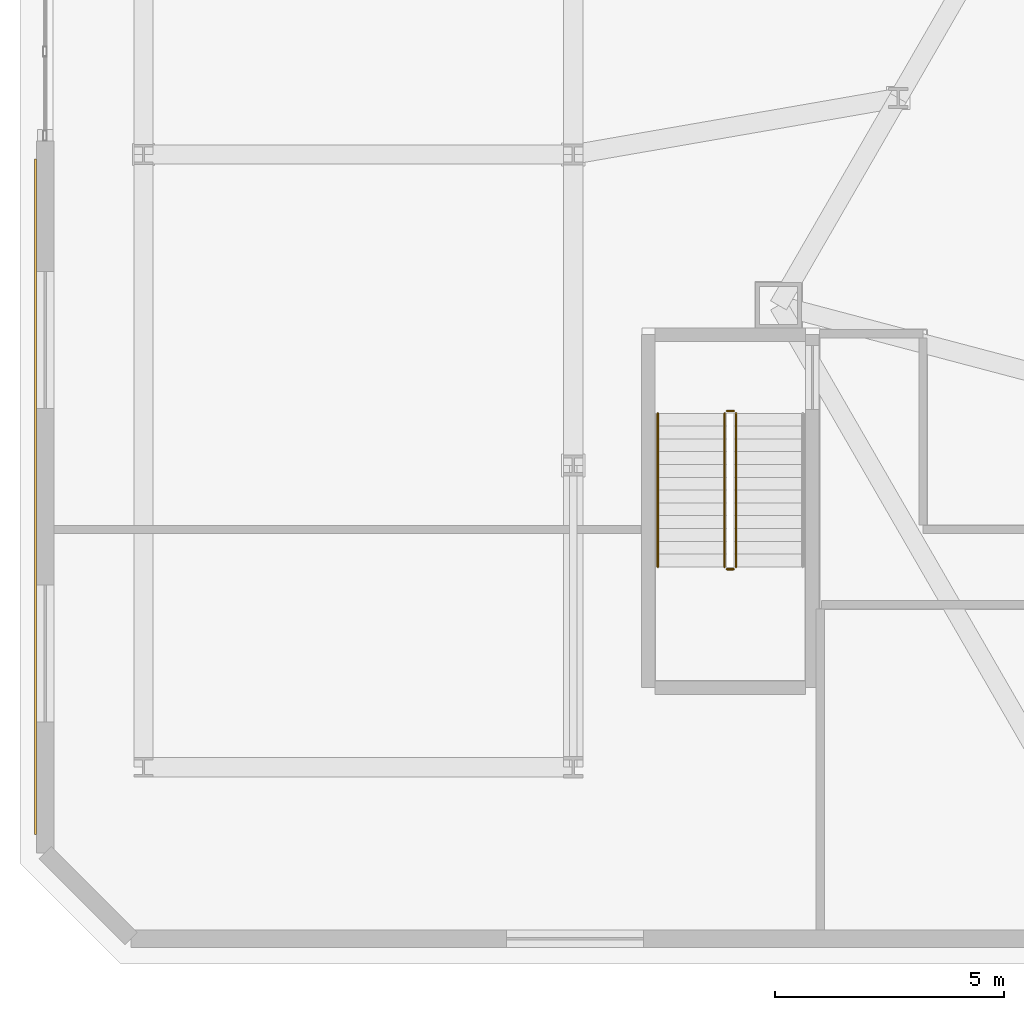
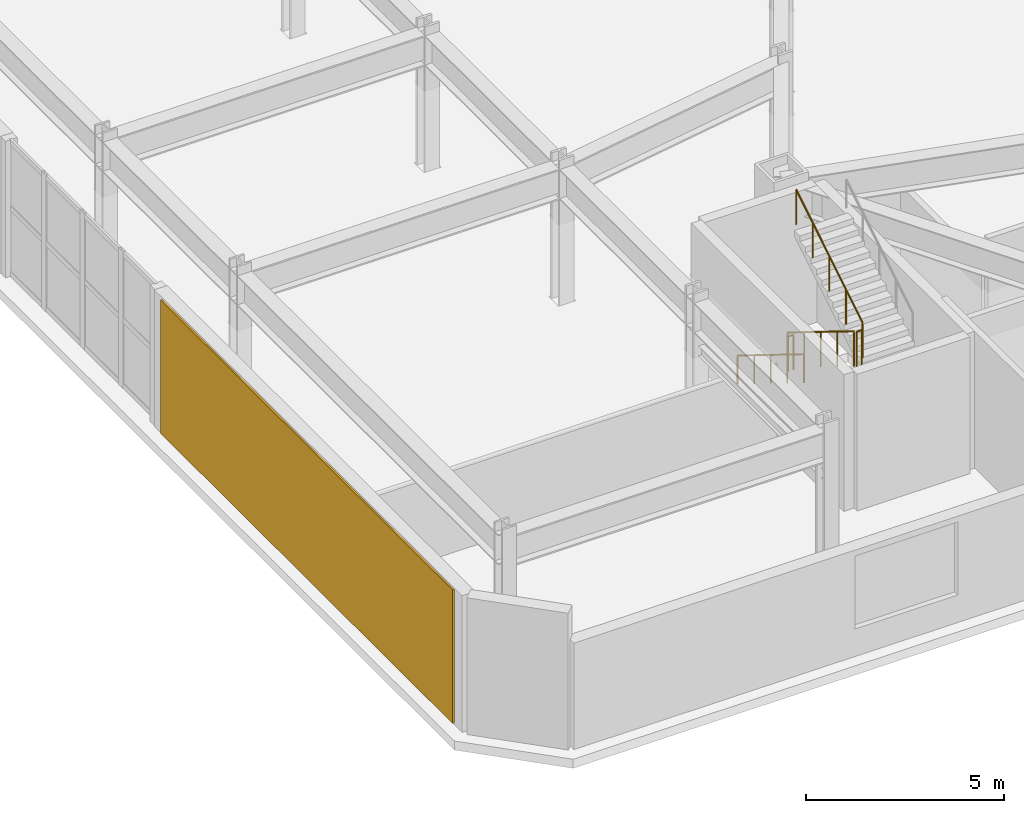
# One storey, part 17 of 21: 5 railings, 1 covering.
"""IFC4 building model written with IfcOpenShell, lengths in metres."""

from ifc_helpers import new_model, si_unit, direction, frame, origin, origin_2d, place, context, subcontext, project, spatial, rectangle, circle, extrude, material, layer, layer_set, type_object, element, save


model = new_model("IFC4")

# Units and contexts
model_context = context("Model", 3, precision=1e-05, world=origin(), true_north=direction((0.0, 1.0)))
body_context = subcontext(model_context, "Body", "Model", "MODEL_VIEW")
ifc_project = project(units=[si_unit("LENGTHUNIT", "METRE"), si_unit("AREAUNIT", "SQUARE_METRE"), si_unit("VOLUMEUNIT", "CUBIC_METRE"), si_unit("PLANEANGLEUNIT", "RADIAN"), si_unit("MASSUNIT", "GRAM", prefix="KILO")], contexts=[model_context])

# Site, building, storey
site_placement = place(None, origin())
site = spatial("IfcSite", under=ifc_project, at=site_placement, CompositionType="ELEMENT")
building_placement = place(site_placement, origin())
building = spatial("IfcBuilding", under=site, at=building_placement, Name="Oramaril Tower", CompositionType="ELEMENT")
storey_placement = place(building_placement, frame((0.0, 0.0, 5.39990234375)))
storey = spatial("IfcBuildingStorey", under=building, at=storey_placement, Name="L01", CompositionType="ELEMENT", Elevation=5.39990234375)

# Covering
ifc_material_1 = material(Name="Warm Cream Limestone", Category="masonry")
ifc_layer = layer(ifc_material_1, 0.050048828125)
ifc_layer_set = layer_set([ifc_layer], Name="CVT-CLD")
covering_type = type_object("IfcCoveringType", Name="CVT-CLD", PredefinedType="CLADDING", material=ifc_layer_set)
covering_placement = place(storey_placement, frame((-3.1630859375, 11.114013671875, 0.050048828125), z_axis=(0.0, 0.0, 1.0), x_axis=(0.0, -1.0, 0.0)))
element("IfcCovering", 1, at=covering_placement, inside=storey, type_object=covering_type, Name="L01 Warm Cream Limestone Cladding", PredefinedType="CLADDING", context=body_context, shape_type="SweptSolid", body=[
    extrude(rectangle(XDim=14.772216796875, YDim=0.050048828125, at=origin_2d()), origin(), (0.0, 0.0, 1.0), 4.1201171875),
])

# Railings
ifc_material_2 = material(Name="Stainless Steel 316L", Category="steel")
railing_type_1 = type_object("IfcRailingType", Name="RLT-GRD", PredefinedType="GUARDRAIL", material=ifc_material_2)
railing_1_placement = place(storey_placement, frame((11.909912109375, 12.93994140625, 0.173095703125)))
element("IfcRailing", 2, at=railing_1_placement, inside=storey, type_object=railing_type_1, Name="L01 ST-3 stair guard 1", PredefinedType="GUARDRAIL", context=body_context, shape_type="SweptSolid", body=[
    extrude(circle(Radius=0.02392578125, at=origin_2d()), frame((0.0, 0.0, 1.076171875), z_axis=(0.0, -0.850606129759, 0.525803396734), x_axis=(1.0, 0.0, 0.0)), (0.0, 0.0, 1.0), 3.949951171875),
    extrude(circle(Radius=0.02099609375, at=origin_2d()), origin(), (0.0, 0.0, 1.0), 1.052001953125),
    extrude(circle(Radius=0.02099609375, at=origin_2d()), frame((0.0, -0.83984375, 0.519287109375)), (0.0, 0.0, 1.0), 1.052001953125),
    extrude(circle(Radius=0.02099609375, at=origin_2d()), frame((0.0, -1.679931640625, 1.03857421875)), (0.0, 0.0, 1.0), 1.052001953125),
    extrude(circle(Radius=0.02099609375, at=origin_2d()), frame((0.0, -2.52001953125, 1.5576171875)), (0.0, 0.0, 1.0), 1.052001953125),
    extrude(circle(Radius=0.02099609375, at=origin_2d()), frame((0.0, -3.35986328125, 2.076904296875)), (0.0, 0.0, 1.0), 1.052001953125),
])
railing_2_placement = place(storey_placement, frame((11.9599609375, 9.530029296875, 2.25)))
element("IfcRailing", 3, at=railing_2_placement, inside=storey, type_object=railing_type_1, Name="L01 ST-3 stair guard 2", PredefinedType="GUARDRAIL", context=body_context, shape_type="SweptSolid", body=[
    extrude(circle(Radius=0.02392578125, at=origin_2d()), frame((0.0, 0.0, 1.076171875), z_axis=(1.0, 0.0, 0.0), x_axis=(0.0, 1.0, 0.0)), (0.0, 0.0, 1.0), 0.150146484375),
    extrude(circle(Radius=0.02099609375, at=origin_2d()), origin(), (0.0, 0.0, 1.0), 1.052001953125),
    extrude(circle(Radius=0.02099609375, at=origin_2d()), frame((0.150146484375, 0.0, 0.0)), (0.0, 0.0, 1.0), 1.052001953125),
])
railing_3_placement = place(storey_placement, frame((12.159912109375, 9.580078125, 2.423095703125)))
element("IfcRailing", 4, at=railing_3_placement, inside=storey, type_object=railing_type_1, Name="L01 ST-3 stair guard 3", PredefinedType="GUARDRAIL", context=body_context, shape_type="SweptSolid", body=[
    extrude(circle(Radius=0.02392578125, at=origin_2d()), frame((0.0, 0.0, 1.076171875), z_axis=(0.0, 0.850606129759, 0.525803396734), x_axis=(-1.0, 0.0, 0.0)), (0.0, 0.0, 1.0), 3.949951171875),
    extrude(circle(Radius=0.02099609375, at=origin_2d()), origin(), (0.0, 0.0, 1.0), 1.052001953125),
    extrude(circle(Radius=0.02099609375, at=origin_2d()), frame((0.0, 0.83984375, 0.519287109375)), (0.0, 0.0, 1.0), 1.052001953125),
    extrude(circle(Radius=0.02099609375, at=origin_2d()), frame((0.0, 1.679931640625, 1.03857421875)), (0.0, 0.0, 1.0), 1.052001953125),
    extrude(circle(Radius=0.02099609375, at=origin_2d()), frame((0.0, 2.52001953125, 1.5576171875)), (0.0, 0.0, 1.0), 1.052001953125),
    extrude(circle(Radius=0.02099609375, at=origin_2d()), frame((0.0, 3.35986328125, 2.076904296875)), (0.0, 0.0, 1.0), 1.052001953125),
])
railing_4_placement = place(storey_placement, frame((11.9599609375, 12.989990234375, 0.0)))
element("IfcRailing", 5, at=railing_4_placement, inside=storey, type_object=railing_type_1, Name="L01 ST-3 stair guard 4", PredefinedType="GUARDRAIL", context=body_context, shape_type="SweptSolid", body=[
    extrude(circle(Radius=0.02392578125, at=origin_2d()), frame((0.0, 0.0, 1.076171875), z_axis=(1.0, 0.0, 0.0), x_axis=(0.0, 1.0, 0.0)), (0.0, 0.0, 1.0), 0.150146484375),
    extrude(circle(Radius=0.02099609375, at=origin_2d()), origin(), (0.0, 0.0, 1.0), 1.052001953125),
    extrude(circle(Radius=0.02099609375, at=origin_2d()), frame((0.150146484375, 0.0, 0.0)), (0.0, 0.0, 1.0), 1.052001953125),
])
ifc_material_3 = material(Name="Stainless Steel 316L", Category="steel")
railing_type_2 = type_object("IfcRailingType", Name="RLT-HND", PredefinedType="HANDRAIL", material=ifc_material_3)
railing_5_placement = place(storey_placement, frame((10.449951171875, 12.93994140625, 0.173095703125)))
element("IfcRailing", 6, at=railing_5_placement, inside=storey, type_object=railing_type_2, Name="L01 ST-3 stair handrail 1", PredefinedType="HANDRAIL", context=body_context, shape_type="SweptSolid", body=[
    extrude(circle(Radius=0.02392578125, at=origin_2d()), frame((0.0, 0.0, 0.8759765625), z_axis=(0.0, -0.850606129759, 0.525803396734), x_axis=(1.0, 0.0, 0.0)), (0.0, 0.0, 1.0), 3.949951171875),
    extrude(circle(Radius=0.02099609375, at=origin_2d()), origin(), (0.0, 0.0, 1.0), 0.851806640625),
    extrude(circle(Radius=0.02099609375, at=origin_2d()), frame((0.0, -0.83984375, 0.519287109375)), (0.0, 0.0, 1.0), 0.851806640625),
    extrude(circle(Radius=0.02099609375, at=origin_2d()), frame((0.0, -1.679931640625, 1.03857421875)), (0.0, 0.0, 1.0), 0.851806640625),
    extrude(circle(Radius=0.02099609375, at=origin_2d()), frame((0.0, -2.52001953125, 1.5576171875)), (0.0, 0.0, 1.0), 0.851806640625),
    extrude(circle(Radius=0.02099609375, at=origin_2d()), frame((0.0, -3.35986328125, 2.076904296875)), (0.0, 0.0, 1.0), 0.851806640625),
])

save(model, "model.ifc")
